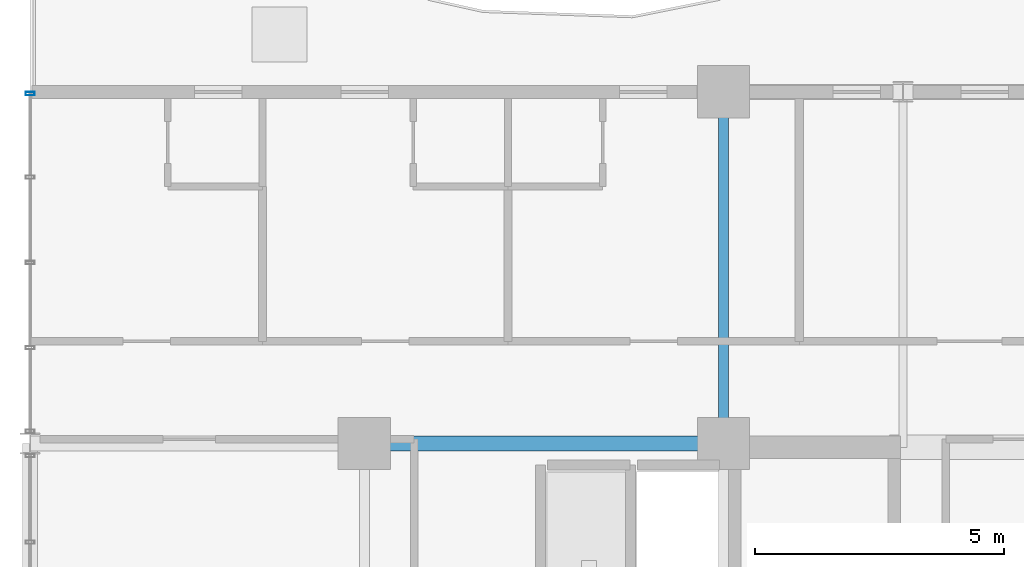
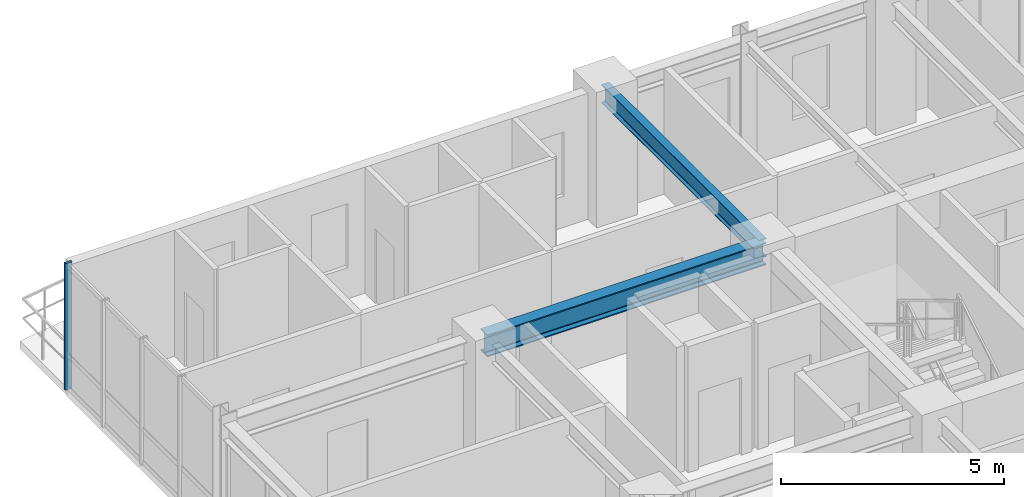
# One storey, part 8 of 20: 2 beams, 1 member, 1 element without a shape of its own.
"""IFC4 building model written with IfcOpenShell, lengths in metres."""

from ifc_helpers import new_model, si_unit, direction, frame, origin, origin_2d, place, context, subcontext, project, spatial, hollow_rectangle, i_section, extrude, source, transform, mapped, material, layer, layer_set, material_profile, profile_set, type_object, element, aggregate, save


model = new_model("IFC4")

# Units and contexts
model_context = context("Model", 3, precision=1e-05, world=origin(), true_north=direction((0.0, 1.0)))
body_context = subcontext(model_context, "Body", "Model", "MODEL_VIEW")
ifc_project = project(units=[si_unit("LENGTHUNIT", "METRE"), si_unit("AREAUNIT", "SQUARE_METRE"), si_unit("VOLUMEUNIT", "CUBIC_METRE"), si_unit("PLANEANGLEUNIT", "RADIAN"), si_unit("MASSUNIT", "GRAM", prefix="KILO")], contexts=[model_context])

# Site, building, storey
site_placement = place(None, origin())
site = spatial("IfcSite", under=ifc_project, at=site_placement, CompositionType="ELEMENT")
building_placement = place(site_placement, origin())
building = spatial("IfcBuilding", under=site, at=building_placement, Name="Kaliganga Portal Commons", CompositionType="ELEMENT")
storey_placement = place(building_placement, frame((0.0, 0.0, 155.0)))
storey = spatial("IfcBuildingStorey", under=building, at=storey_placement, Name="L39", CompositionType="ELEMENT", Elevation=155.0)

# Beams
ifc_material_1 = material(Name="Structural steel S355J2", Category="steel")
ifc_material_profile_1 = material_profile(ifc_material_1, i_section(OverallWidth=0.199951171875, OverallDepth=0.5, WebThickness=0.01025390625, FlangeThickness=0.01611328125, FilletRadius=0.02099609375, at=origin_2d()), Name="IPE 500")
ifc_profile_set_1 = profile_set([ifc_material_profile_1], Name="Structural steel S355J2 wide-flange")
beam_type_1 = type_object("IfcBeamType", Name="BM-FLR-500", PredefinedType="BEAM", material=ifc_profile_set_1)
shared_shape_1 = source(origin(), body_context, "Body", "SweptSolid", [
    extrude(i_section(OverallWidth=0.199951171875, OverallDepth=0.5, WebThickness=0.01025390625, FlangeThickness=0.01611328125, FilletRadius=0.02099609375, at=origin_2d()), origin(), (0.0, 0.0, 1.0), 7.050048828125),
])
beam_1_placement = place(storey_placement, frame((14.39990234375, 36.14990234375, 3.2099609375), z_axis=(0.0, 1.0, 0.0), x_axis=(-1.0, 0.0, 0.0)))
element("IfcBeam", 1, at=beam_1_placement, inside=storey, type_object=beam_type_1, Name="BM G L39 AN144", PredefinedType="BEAM", context=body_context, shape_type="MappedRepresentation", body=[
    mapped(shared_shape_1, transform((0.0, 0.0, 0.0), x_axis=(1.0, 0.0, 0.0), y_axis=(0.0, 1.0, 0.0), z_axis=(0.0, 0.0, 1.0), scale=1.0)),
])
ifc_material_profile_2 = material_profile(ifc_material_1, i_section(OverallWidth=0.300048828125, OverallDepth=0.60009765625, WebThickness=0.015380859375, FlangeThickness=0.030029296875, FilletRadius=0.027099609375, at=origin_2d()), Name="HE 600 B")
ifc_profile_set_2 = profile_set([ifc_material_profile_2], Name="Structural steel S355J2 wide-flange")
beam_type_2 = type_object("IfcBeamType", Name="BM-GIRD-600", PredefinedType="USERDEFINED", material=ifc_profile_set_2)
shared_shape_2 = source(origin(), body_context, "Body", "SweptSolid", [
    extrude(i_section(OverallWidth=0.300048828125, OverallDepth=0.60009765625, WebThickness=0.015380859375, FlangeThickness=0.030029296875, FilletRadius=0.027099609375, at=origin_2d()), origin(), (0.0, 0.0, 1.0), 7.199951171875),
])
beam_2_placement = place(storey_placement, frame((7.199951171875, 36.14990234375, 3.159912109375), z_axis=(1.0, 0.0, 0.0), x_axis=(0.0, 1.0, 0.0)))
element("IfcBeam", 2, at=beam_2_placement, inside=storey, type_object=beam_type_2, Name="BM G L39 WAH_N 2", ObjectType="GIRDER", PredefinedType="USERDEFINED", context=body_context, shape_type="MappedRepresentation", body=[
    mapped(shared_shape_2, transform((0.0, 0.0, 0.0), x_axis=(1.0, 0.0, 0.0), y_axis=(0.0, 1.0, 0.0), z_axis=(0.0, 0.0, 1.0), scale=1.0)),
])

# Curtain wall, member
ifc_material_2 = material(Name="Anodized Aluminium and Laminated Low-E Glass", Category="aluminium")
ifc_layer = layer(ifc_material_2, 0.199951171875)
ifc_layer_set = layer_set([ifc_layer], Name="Anodized Aluminium and Laminated Low-E Glass")
curtain_wall_type = type_object("IfcCurtainWallType", Name="CW-SYS-02", PredefinedType="NOTDEFINED", material=ifc_layer_set)
curtain_wall_placement = place(storey_placement, origin())
curtain_wall = element("IfcCurtainWall", 3, at=curtain_wall_placement, inside=storey, type_object=curtain_wall_type, Name="CW 02 L39 P1E03S1", PredefinedType="NOTDEFINED")
ifc_material_3 = material(Name="Dark Bronze Anodized Aluminium", Category="aluminium")
ifc_material_profile_3 = material_profile(ifc_material_3, hollow_rectangle(XDim=0.06494140625, YDim=0.179931640625, WallThickness=0.00390625, at=origin_2d()), Name="ALU MULL 65x180x4")
ifc_profile_set_3 = profile_set([ifc_material_profile_3], Name="Dark Bronze Anodized Aluminium")
member_type = type_object("IfcMemberType", Name="CW-MUL-180", PredefinedType="MULLION", material=ifc_profile_set_3)
shared_shape_3 = source(origin(), body_context, "Body", "SweptSolid", [
    extrude(hollow_rectangle(XDim=0.06494140625, YDim=0.179931640625, WallThickness=0.00390625, at=origin_2d()), origin(), (0.0, 0.0, 1.0), 3.4599609375),
])
member_placement = place(storey_placement, frame((0.5, 43.1650390625, 0.0), z_axis=(0.0, 0.0, 1.0), x_axis=(0.0, -1.0, 0.0)))
member = element("IfcMember", 4, at=member_placement, type_object=member_type, Name="CW:02:L39:P1E03S1 Mullion 00", PredefinedType="MULLION", context=body_context, shape_type="MappedRepresentation", body=[
    mapped(shared_shape_3, transform((0.0, 0.0, 0.0), x_axis=(1.0, 0.0, 0.0), y_axis=(0.0, 1.0, 0.0), z_axis=(0.0, 0.0, 1.0), scale=1.0)),
])
aggregate(curtain_wall, [member])

save(model, "model.ifc")
